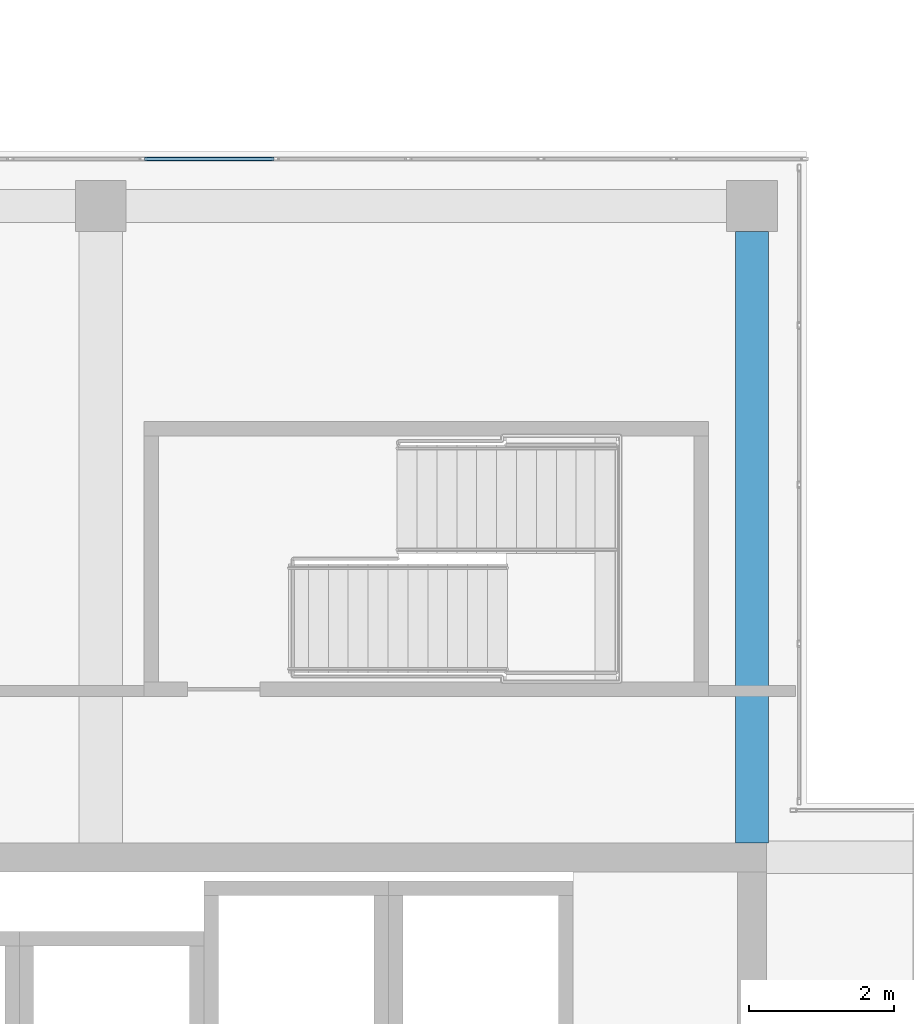
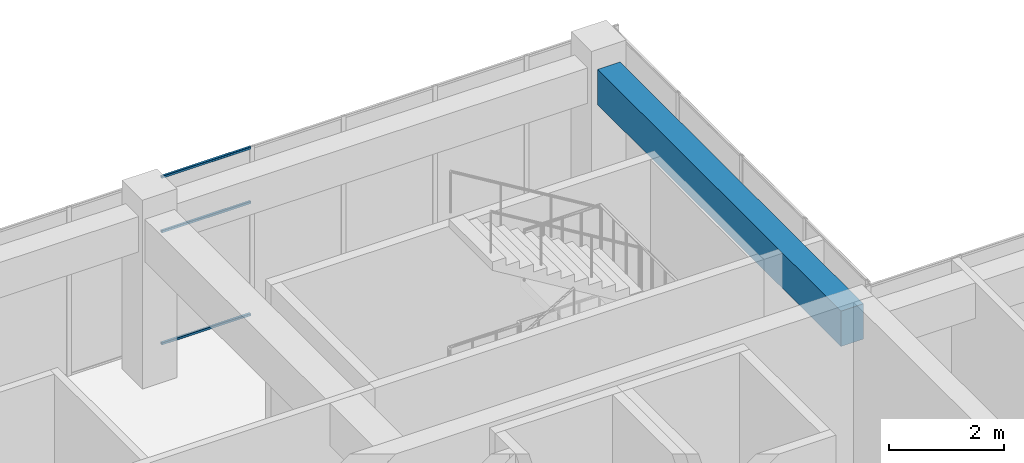
# One storey, part 24 of 32: 3 members, 1 beam, 1 element without a shape of its own.
"""IFC4 building model written with IfcOpenShell, lengths in metres."""

from ifc_helpers import new_model, si_unit, direction, frame, origin, origin_2d, place, context, subcontext, project, spatial, rectangle, hollow_rectangle, extrude, material, layer, layer_set, material_profile, profile_set, type_object, element, aggregate, save


model = new_model("IFC4")

# Units and contexts
model_context = context("Model", 3, precision=1e-05, world=origin(), true_north=direction((0.0, 1.0)))
body_context = subcontext(model_context, "Body", "Model", "MODEL_VIEW")
ifc_project = project(units=[si_unit("LENGTHUNIT", "METRE"), si_unit("AREAUNIT", "SQUARE_METRE"), si_unit("VOLUMEUNIT", "CUBIC_METRE"), si_unit("PLANEANGLEUNIT", "RADIAN"), si_unit("MASSUNIT", "GRAM", prefix="KILO")], contexts=[model_context])

# Site, building, storey
site_placement = place(None, origin())
site = spatial("IfcSite", under=ifc_project, at=site_placement, CompositionType="ELEMENT")
building_placement = place(site_placement, origin())
building = spatial("IfcBuilding", under=site, at=building_placement, Name="Tuart Plaza Theatre", CompositionType="ELEMENT")
storey_placement = place(building_placement, frame((0.0, 0.0, 37.5)))
storey = spatial("IfcBuildingStorey", under=building, at=storey_placement, Name="L09", CompositionType="ELEMENT", Elevation=37.5)

# Beam
ifc_material_1 = material(Name="Concrete N40 (40 MPa)", Category="concrete")
ifc_material_profile_1 = material_profile(ifc_material_1, rectangle(XDim=0.449951171875, YDim=0.75, at=origin_2d()), Name="BEAM 450x750 Concrete N40 (40 MPa)")
ifc_profile_set_1 = profile_set([ifc_material_profile_1], Name="Concrete N40 (40 MPa)")
beam_type = type_object("IfcBeamType", Name="BEAM 450x750 Concrete N40 (40 MPa)", PredefinedType="BEAM", material=ifc_profile_set_1)
beam_placement = place(storey_placement, frame((141.0, 83.199951171875, 3.205078125), z_axis=(0.0, 1.0, 0.0), x_axis=(-1.0, 0.0, 0.0)))
element("IfcBeam", 1, at=beam_placement, inside=storey, type_object=beam_type, Name="RB273", PredefinedType="BEAM", context=body_context, shape_type="SweptSolid", body=[
    extrude(rectangle(XDim=0.449951171875, YDim=0.75, at=origin_2d()), origin(), (0.0, 0.0, 1.0), 8.449951171875),
])

# Curtain wall, members
ifc_material_2 = material(Name="Aluminium and glass", Category="aluminium")
ifc_layer = layer(ifc_material_2, 0.10009765625)
ifc_layer_set = layer_set([ifc_layer], Name="CURTAIN WALL 1800 module")
curtain_wall_type = type_object("IfcCurtainWallType", Name="CURTAIN WALL 1800 module", PredefinedType="NOTDEFINED", material=ifc_layer_set)
curtain_wall_placement = place(storey_placement, origin())
curtain_wall = element("IfcCurtainWall", 2, at=curtain_wall_placement, inside=storey, type_object=curtain_wall_type, Name="CW95", PredefinedType="NOTDEFINED")
ifc_material_3 = material(Name="Aluminium 6063-T5", Category="aluminium")
ifc_material_profile_2 = material_profile(ifc_material_3, hollow_rectangle(XDim=0.050048828125, YDim=0.050048828125, WallThickness=0.00390625, InnerFilletRadius=0.00390625, OuterFilletRadius=0.008056640625, at=origin_2d()), Name="RHS 50x50x4")
ifc_profile_set_2 = profile_set([ifc_material_profile_2], Name="Aluminium 6063-T5")
member_type = type_object("IfcMemberType", Name="TRANSOM RHS 50x50x4", PredefinedType="USERDEFINED", material=ifc_profile_set_2)
member_1_placement = place(storey_placement, frame((134.3916015625, 92.64990234375, 0.02490234375), z_axis=(-1.0, 0.0, 0.0), x_axis=(0.0, -1.0, 0.0)))
member_1 = element("IfcMember", 3, at=member_1_placement, type_object=member_type, Name="CW95 transom 5.1", ObjectType="TRANSOM", PredefinedType="USERDEFINED", context=body_context, shape_type="SweptSolid", body=[
    extrude(hollow_rectangle(XDim=0.050048828125, YDim=0.050048828125, WallThickness=0.00390625, InnerFilletRadius=0.00390625, OuterFilletRadius=0.008056640625, at=origin_2d()), origin(), (0.0, 0.0, 1.0), 1.783203125),
])
member_2_placement = place(storey_placement, frame((134.3916015625, 92.64990234375, 2.39990234375), z_axis=(-1.0, 0.0, 0.0), x_axis=(0.0, -1.0, 0.0)))
member_2 = element("IfcMember", 4, at=member_2_placement, type_object=member_type, Name="CW95 transom 5.2", ObjectType="TRANSOM", PredefinedType="USERDEFINED", context=body_context, shape_type="SweptSolid", body=[
    extrude(hollow_rectangle(XDim=0.050048828125, YDim=0.050048828125, WallThickness=0.00390625, InnerFilletRadius=0.00390625, OuterFilletRadius=0.008056640625, at=origin_2d()), origin(), (0.0, 0.0, 1.0), 1.783203125),
])
member_3_placement = place(storey_placement, frame((134.3916015625, 92.64990234375, 3.554931640625), z_axis=(-1.0, 0.0, 0.0), x_axis=(0.0, -1.0, 0.0)))
member_3 = element("IfcMember", 5, at=member_3_placement, type_object=member_type, Name="CW95 transom 5.3", ObjectType="TRANSOM", PredefinedType="USERDEFINED", context=body_context, shape_type="SweptSolid", body=[
    extrude(hollow_rectangle(XDim=0.050048828125, YDim=0.050048828125, WallThickness=0.00390625, InnerFilletRadius=0.00390625, OuterFilletRadius=0.008056640625, at=origin_2d()), origin(), (0.0, 0.0, 1.0), 1.783203125),
])
aggregate(curtain_wall, [member_1, member_2, member_3])

save(model, "model.ifc")
